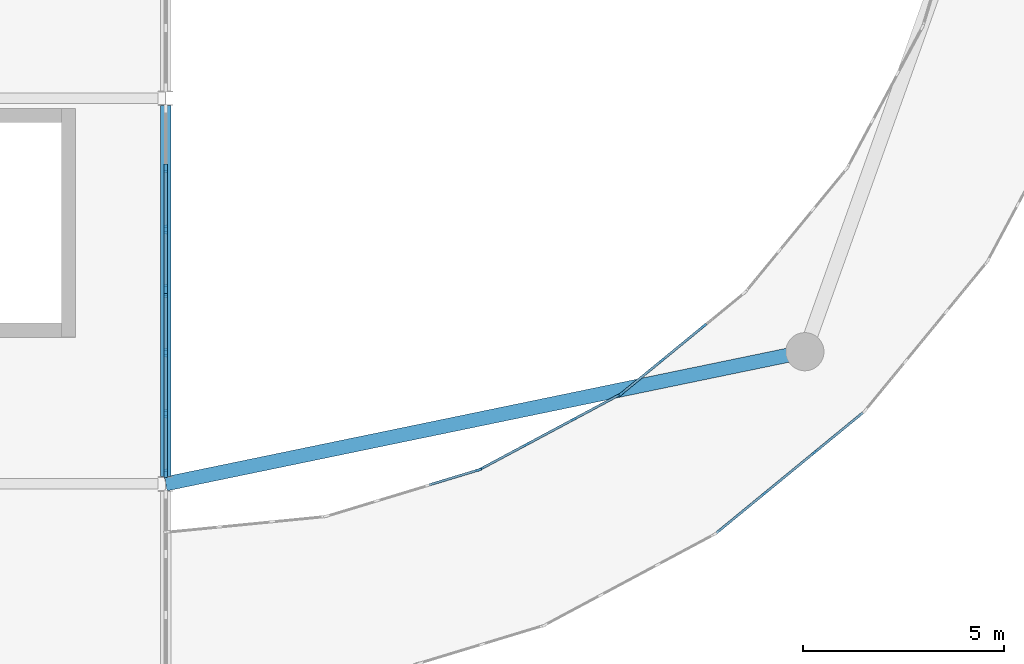
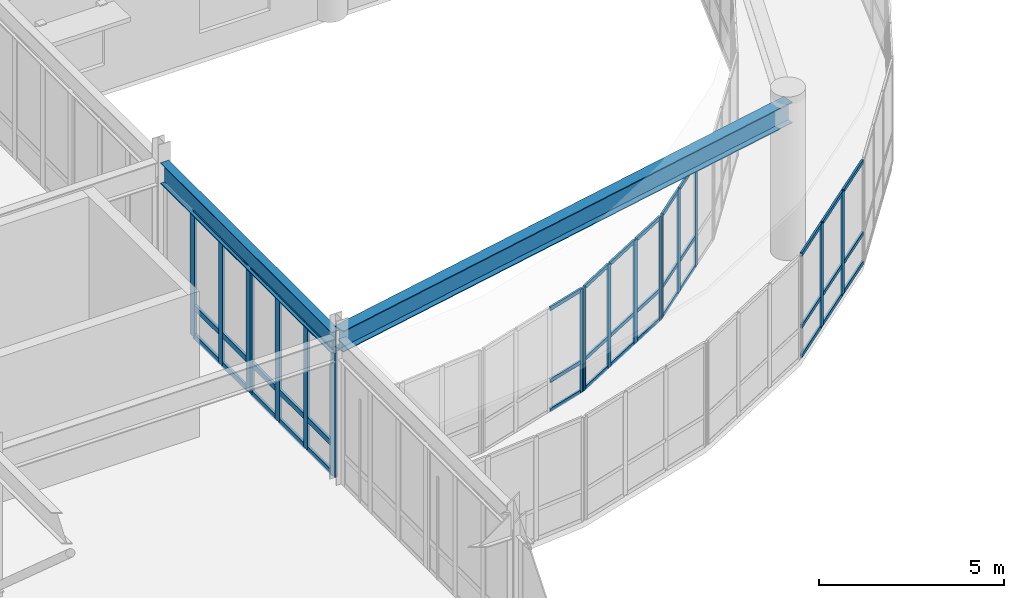
# One storey, part 18 of 68: 59 members, 2 beams, 6 elements without a shape of their own.
"""IFC4 building model written with IfcOpenShell, lengths in metres."""

from ifc_helpers import new_model, si_unit, direction, frame, origin, origin_2d, place, context, subcontext, project, spatial, rectangle, i_section, extrude, material, material_profile, profile_set, type_object, element, aggregate, save


model = new_model("IFC4")

# Units and contexts
model_context = context("Model", 3, precision=1e-05, world=origin(), true_north=direction((0.0, 1.0)))
body_context = subcontext(model_context, "Body", "Model", "MODEL_VIEW")
ifc_project = project(units=[si_unit("LENGTHUNIT", "METRE"), si_unit("AREAUNIT", "SQUARE_METRE"), si_unit("VOLUMEUNIT", "CUBIC_METRE"), si_unit("PLANEANGLEUNIT", "RADIAN"), si_unit("MASSUNIT", "GRAM", prefix="KILO")], contexts=[model_context])

# Site, building, storey
site_placement = place(None, origin())
site = spatial("IfcSite", under=ifc_project, at=site_placement, CompositionType="ELEMENT")
building_placement = place(site_placement, origin())
building = spatial("IfcBuilding", under=site, at=building_placement, Name="Veldera Park Congress Hotel", CompositionType="ELEMENT")
storey_placement = place(building_placement, frame((0.0, 0.0, 10.800048828125)))
storey = spatial("IfcBuildingStorey", under=building, at=storey_placement, Name="L02", CompositionType="ELEMENT", Elevation=10.800048828125)

# Beams
ifc_material_1 = material(Name="Steel ASTM A992 Gr.50", Category="steel")
ifc_material_profile_1 = material_profile(ifc_material_1, i_section(OverallWidth=0.256103515625, OverallDepth=0.693115234375, WebThickness=0.014404296875, FlangeThickness=0.023681640625, at=origin_2d()), Name="W27X114")
ifc_profile_set_1 = profile_set([ifc_material_profile_1], Name="Steel ASTM A992 Gr.50")
beam_type_1 = type_object("IfcBeamType", Name="BM-W27", PredefinedType="BEAM", material=ifc_profile_set_1)
beam_1_placement = place(storey_placement, frame((-1.60009765625, -1.615966796875, 4.453369140625), z_axis=(0.0, 1.0, 0.0), x_axis=(-1.0, 0.0, 0.0)))
element("IfcBeam", 1, at=beam_1_placement, inside=storey, type_object=beam_type_1, Name="L02 Girder BM-W27 968", PredefinedType="BEAM", context=body_context, shape_type="SweptSolid", body=[
    extrude(i_section(OverallWidth=0.256103515625, OverallDepth=0.693115234375, WebThickness=0.014404296875, FlangeThickness=0.023681640625, at=origin_2d()), origin(), (0.0, 0.0, 1.0), 9.23193359375),
])
ifc_material_profile_2 = material_profile(ifc_material_1, i_section(OverallWidth=0.35498046875, OverallDepth=0.696044921875, WebThickness=0.015380859375, FlangeThickness=0.02490234375, at=origin_2d()), Name="W27X146")
ifc_profile_set_2 = profile_set([ifc_material_profile_2], Name="Steel ASTM A992 Gr.50")
beam_type_2 = type_object("IfcBeamType", Name="BM-W27E", PredefinedType="BEAM", material=ifc_profile_set_2)
beam_2_placement = place(storey_placement, frame((-1.60009765625, -1.800048828125, 4.64990234375), z_axis=(0.979280770747, 0.202507214796, 0.0), x_axis=(-0.202507214796, 0.979280770747, 0.0)))
element("IfcBeam", 2, at=beam_2_placement, inside=storey, type_object=beam_type_2, Name="L02 Skybridge Support Girder A W", PredefinedType="BEAM", context=body_context, shape_type="SweptSolid", body=[
    extrude(i_section(OverallWidth=0.35498046875, OverallDepth=0.696044921875, WebThickness=0.015380859375, FlangeThickness=0.02490234375, at=origin_2d()), origin(), (0.0, 0.0, 1.0), 16.24658203125),
])

# Curtain wall, members
ifc_material_2 = material(Name="Low-E Triple Insulating Glass Unit (SHGC 0.22)", Category="glass")
curtain_wall_type_1 = type_object("IfcCurtainWallType", Name="CW-BRG", PredefinedType="NOTDEFINED", material=ifc_material_2)
curtain_wall_1_placement = place(storey_placement, origin())
curtain_wall_1 = element("IfcCurtainWall", 3, at=curtain_wall_1_placement, inside=storey, type_object=curtain_wall_type_1, Name="L02 Curtain Wall CW3-BRGW-L02-A03", PredefinedType="NOTDEFINED")
ifc_material_3 = material(Name="Anodised Aluminium Alloy 6063-T6", Category="aluminium")
ifc_material_profile_3 = material_profile(ifc_material_3, rectangle(XDim=0.06005859375, YDim=0.159912109375, at=origin_2d()), Name="ALU 60x160")
ifc_profile_set_3 = profile_set([ifc_material_profile_3], Name="Anodised Aluminium Alloy 6063-T6")
member_type_1 = type_object("IfcMemberType", Name="CWM-160", PredefinedType="MULLION", material=ifc_profile_set_3)
member_1_placement = place(storey_placement, frame((13.3095703125, -2.034423828125, 0.0), z_axis=(0.0, 0.0, 1.0), x_axis=(-0.634402404183, 0.773002968666, 0.0)))
member_1 = element("IfcMember", 4, at=member_1_placement, type_object=member_type_1, Name="CW-BRG mullion 2", PredefinedType="MULLION", context=body_context, shape_type="SweptSolid", body=[
    extrude(rectangle(XDim=0.06005859375, YDim=0.159912109375, at=origin_2d()), origin(), (0.0, 0.0, 1.0), 3.39990234375),
])
member_2_placement = place(storey_placement, frame((14.55224609375, -1.0146484375, 0.0), z_axis=(0.0, 0.0, 1.0), x_axis=(-0.634402404183, 0.773002968666, 0.0)))
member_2 = element("IfcMember", 5, at=member_2_placement, type_object=member_type_1, Name="CW-BRG mullion 3", PredefinedType="MULLION", context=body_context, shape_type="SweptSolid", body=[
    extrude(rectangle(XDim=0.06005859375, YDim=0.159912109375, at=origin_2d()), origin(), (0.0, 0.0, 1.0), 3.39990234375),
])

curtain_wall_2_placement = place(storey_placement, origin())
curtain_wall_2 = element("IfcCurtainWall", 6, at=curtain_wall_2_placement, inside=storey, type_object=curtain_wall_type_1, Name="L02 Curtain Wall CW3-BRGW-L02-B13", PredefinedType="NOTDEFINED")
member_3_placement = place(storey_placement, frame((11.79443359375, 2.12939453125, 0.0), z_axis=(0.0, 0.0, 1.0), x_axis=(0.634386349036, -0.773016144823, 0.0)))
member_3 = element("IfcMember", 7, at=member_3_placement, type_object=member_type_1, Name="CW-BRG mullion 2", PredefinedType="MULLION", context=body_context, shape_type="SweptSolid", body=[
    extrude(rectangle(XDim=0.06005859375, YDim=0.159912109375, at=origin_2d()), origin(), (0.0, 0.0, 1.0), 3.39990234375),
])
member_4_placement = place(storey_placement, frame((10.76416015625, 1.28369140625, 0.0), z_axis=(0.0, 0.0, 1.0), x_axis=(0.634386349036, -0.773016144823, 0.0)))
member_4 = element("IfcMember", 8, at=member_4_placement, type_object=member_type_1, Name="CW-BRG mullion 3", PredefinedType="MULLION", context=body_context, shape_type="SweptSolid", body=[
    extrude(rectangle(XDim=0.06005859375, YDim=0.159912109375, at=origin_2d()), origin(), (0.0, 0.0, 1.0), 3.39990234375),
])
member_5_placement = place(storey_placement, frame((9.7568359375, 0.45703125, 0.0), z_axis=(0.0, 0.0, 1.0), x_axis=(0.634386349036, -0.773016144823, 0.0)))
member_5 = element("IfcMember", 9, at=member_5_placement, type_object=member_type_1, Name="CW-BRG mullion 4", PredefinedType="MULLION", context=body_context, shape_type="SweptSolid", body=[
    extrude(rectangle(XDim=0.06005859375, YDim=0.159912109375, at=origin_2d()), origin(), (0.0, 0.0, 1.0), 3.39990234375),
])

curtain_wall_3_placement = place(storey_placement, origin())
curtain_wall_3 = element("IfcCurtainWall", 10, at=curtain_wall_3_placement, inside=storey, type_object=curtain_wall_type_1, Name="L02 Curtain Wall CW3-BRGW-L02-B14", PredefinedType="NOTDEFINED")
member_6_placement = place(storey_placement, frame((9.70703125, 0.423828125, 0.0), z_axis=(0.0, 0.0, 1.0), x_axis=(0.471383642588, -0.881928263239, 0.0)))
member_6 = element("IfcMember", 11, at=member_6_placement, type_object=member_type_1, Name="CW-BRG mullion 1", PredefinedType="MULLION", context=body_context, shape_type="SweptSolid", body=[
    extrude(rectangle(XDim=0.06005859375, YDim=0.159912109375, at=origin_2d()), origin(), (0.0, 0.0, 1.0), 3.39990234375),
])
member_7_placement = place(storey_placement, frame((8.557861328125, -0.1904296875, 0.0), z_axis=(0.0, 0.0, 1.0), x_axis=(0.471383642588, -0.881928263239, 0.0)))
member_7 = element("IfcMember", 12, at=member_7_placement, type_object=member_type_1, Name="CW-BRG mullion 2", PredefinedType="MULLION", context=body_context, shape_type="SweptSolid", body=[
    extrude(rectangle(XDim=0.06005859375, YDim=0.159912109375, at=origin_2d()), origin(), (0.0, 0.0, 1.0), 3.39990234375),
])
member_8_placement = place(storey_placement, frame((7.38232421875, -0.81884765625, 0.0), z_axis=(0.0, 0.0, 1.0), x_axis=(0.471383642588, -0.881928263239, 0.0)))
member_8 = element("IfcMember", 13, at=member_8_placement, type_object=member_type_1, Name="CW-BRG mullion 3", PredefinedType="MULLION", context=body_context, shape_type="SweptSolid", body=[
    extrude(rectangle(XDim=0.06005859375, YDim=0.159912109375, at=origin_2d()), origin(), (0.0, 0.0, 1.0), 3.39990234375),
])
member_9_placement = place(storey_placement, frame((6.233154296875, -1.432861328125, 0.0), z_axis=(0.0, 0.0, 1.0), x_axis=(0.471383642588, -0.881928263239, 0.0)))
member_9 = element("IfcMember", 14, at=member_9_placement, type_object=member_type_1, Name="CW-BRG mullion 4", PredefinedType="MULLION", context=body_context, shape_type="SweptSolid", body=[
    extrude(rectangle(XDim=0.06005859375, YDim=0.159912109375, at=origin_2d()), origin(), (0.0, 0.0, 1.0), 3.39990234375),
])

# Curtain wall, member
curtain_wall_4_placement = place(storey_placement, origin())
curtain_wall_4 = element("IfcCurtainWall", 15, at=curtain_wall_4_placement, inside=storey, type_object=curtain_wall_type_1, Name="L02 Curtain Wall CW3-BRGW-L02-B15", PredefinedType="NOTDEFINED")
member_10_placement = place(storey_placement, frame((6.177978515625, -1.455810546875, 0.0), z_axis=(0.0, 0.0, 1.0), x_axis=(0.290289846929, -0.956938767513, 0.0)))
member_10 = element("IfcMember", 16, at=member_10_placement, type_object=member_type_1, Name="CW-BRG mullion 1", PredefinedType="MULLION", context=body_context, shape_type="SweptSolid", body=[
    extrude(rectangle(XDim=0.06005859375, YDim=0.159912109375, at=origin_2d()), origin(), (0.0, 0.0, 1.0), 3.39990234375),
])

# Curtain wall, members
curtain_wall_type_2 = type_object("IfcCurtainWallType", Name="CW-POD", PredefinedType="NOTDEFINED", material=ifc_material_2)
curtain_wall_5_placement = place(storey_placement, origin())
curtain_wall_5 = element("IfcCurtainWall", 17, at=curtain_wall_5_placement, inside=storey, type_object=curtain_wall_type_2, Name="L02 Curtain Wall CW3-V1E-L02-069", PredefinedType="NOTDEFINED")
ifc_material_profile_4 = material_profile(ifc_material_3, rectangle(XDim=0.080078125, YDim=0.219970703125, at=origin_2d()), Name="ALU 80x220")
ifc_profile_set_4 = profile_set([ifc_material_profile_4], Name="Anodised Aluminium Alloy 6063-T6")
member_type_2 = type_object("IfcMemberType", Name="CWM-220", PredefinedType="MULLION", material=ifc_profile_set_4)
member_11_placement = place(storey_placement, frame((-1.60009765625, -1.535888671875, 0.0), z_axis=(0.0, 0.0, 1.0), x_axis=(-1.0, 0.0, 0.0)))
member_11 = element("IfcMember", 18, at=member_11_placement, type_object=member_type_2, Name="CW-POD mullion 1", PredefinedType="MULLION", context=body_context, shape_type="SweptSolid", body=[
    extrude(rectangle(XDim=0.080078125, YDim=0.219970703125, at=origin_2d()), origin(), (0.0, 0.0, 1.0), 4.10205078125),
])
member_12_placement = place(storey_placement, frame((-1.60009765625, -0.0556640625, 0.0), z_axis=(0.0, 0.0, 1.0), x_axis=(-1.0, 0.0, 0.0)))
member_12 = element("IfcMember", 19, at=member_12_placement, type_object=member_type_2, Name="CW-POD mullion 2", PredefinedType="MULLION", context=body_context, shape_type="SweptSolid", body=[
    extrude(rectangle(XDim=0.080078125, YDim=0.219970703125, at=origin_2d()), origin(), (0.0, 0.0, 1.0), 4.10205078125),
])
member_13_placement = place(storey_placement, frame((-1.60009765625, 1.464599609375, 0.0), z_axis=(0.0, 0.0, 1.0), x_axis=(-1.0, 0.0, 0.0)))
member_13 = element("IfcMember", 20, at=member_13_placement, type_object=member_type_2, Name="CW-POD mullion 3", PredefinedType="MULLION", context=body_context, shape_type="SweptSolid", body=[
    extrude(rectangle(XDim=0.080078125, YDim=0.219970703125, at=origin_2d()), origin(), (0.0, 0.0, 1.0), 4.10205078125),
])
member_14_placement = place(storey_placement, frame((-1.60009765625, 2.945068359375, 0.0), z_axis=(0.0, 0.0, 1.0), x_axis=(-1.0, 0.0, 0.0)))
member_14 = element("IfcMember", 21, at=member_14_placement, type_object=member_type_2, Name="CW-POD mullion 4", PredefinedType="MULLION", context=body_context, shape_type="SweptSolid", body=[
    extrude(rectangle(XDim=0.080078125, YDim=0.219970703125, at=origin_2d()), origin(), (0.0, 0.0, 1.0), 4.10205078125),
])

curtain_wall_6_placement = place(storey_placement, origin())
curtain_wall_6 = element("IfcCurtainWall", 22, at=curtain_wall_6_placement, inside=storey, type_object=curtain_wall_type_2, Name="L02 Curtain Wall CW3-V1E-L02-070", PredefinedType="NOTDEFINED")
member_15_placement = place(storey_placement, frame((-1.60009765625, 3.054931640625, 0.0), z_axis=(0.0, 0.0, 1.0), x_axis=(-1.0, 0.0, 0.0)))
member_15 = element("IfcMember", 23, at=member_15_placement, type_object=member_type_2, Name="CW-POD mullion 1", PredefinedType="MULLION", context=body_context, shape_type="SweptSolid", body=[
    extrude(rectangle(XDim=0.080078125, YDim=0.219970703125, at=origin_2d()), origin(), (0.0, 0.0, 1.0), 4.10205078125),
])
member_16_placement = place(storey_placement, frame((-1.60009765625, 4.535400390625, 0.0), z_axis=(0.0, 0.0, 1.0), x_axis=(-1.0, 0.0, 0.0)))
member_16 = element("IfcMember", 24, at=member_16_placement, type_object=member_type_2, Name="CW-POD mullion 2", PredefinedType="MULLION", context=body_context, shape_type="SweptSolid", body=[
    extrude(rectangle(XDim=0.080078125, YDim=0.219970703125, at=origin_2d()), origin(), (0.0, 0.0, 1.0), 4.10205078125),
])
member_17_placement = place(storey_placement, frame((-1.60009765625, 6.0556640625, 0.0), z_axis=(0.0, 0.0, 1.0), x_axis=(-1.0, 0.0, 0.0)))
member_17 = element("IfcMember", 25, at=member_17_placement, type_object=member_type_2, Name="CW-POD mullion 3", PredefinedType="MULLION", context=body_context, shape_type="SweptSolid", body=[
    extrude(rectangle(XDim=0.080078125, YDim=0.219970703125, at=origin_2d()), origin(), (0.0, 0.0, 1.0), 4.10205078125),
])

# Member
ifc_material_profile_5 = material_profile(ifc_material_3, rectangle(XDim=0.06005859375, YDim=0.1201171875, at=origin_2d()), Name="ALU 60x120")
ifc_profile_set_5 = profile_set([ifc_material_profile_5], Name="Anodised Aluminium Alloy 6063-T6")
member_type_3 = type_object("IfcMemberType", Name="CWT-120", PredefinedType="USERDEFINED", material=ifc_profile_set_5)
member_18_placement = place(storey_placement, frame((12.11328125, -3.01611328125, 0.030029296875), z_axis=(0.773038980381, 0.634358522298, 0.0), x_axis=(-0.634358522298, 0.773038980381, 0.0)))
member_18 = element("IfcMember", 26, at=member_18_placement, type_object=member_type_3, Name="CW-BRG transom 1.1", ObjectType="TRANSOM", PredefinedType="USERDEFINED", context=body_context, shape_type="SweptSolid", body=[
    extrude(rectangle(XDim=0.06005859375, YDim=0.1201171875, at=origin_2d()), origin(), (0.0, 0.0, 1.0), 1.517578125),
])

member_19_placement = place(storey_placement, frame((12.11328125, -3.01611328125, 1.0), z_axis=(0.773038980381, 0.634358522298, 0.0), x_axis=(-0.634358522298, 0.773038980381, 0.0)))
member_19 = element("IfcMember", 27, at=member_19_placement, type_object=member_type_3, Name="CW-BRG transom 1.2", ObjectType="TRANSOM", PredefinedType="USERDEFINED", context=body_context, shape_type="SweptSolid", body=[
    extrude(rectangle(XDim=0.06005859375, YDim=0.1201171875, at=origin_2d()), origin(), (0.0, 0.0, 1.0), 1.517578125),
])

member_20_placement = place(storey_placement, frame((12.11328125, -3.01611328125, 3.369873046875), z_axis=(0.773038980381, 0.634358522298, 0.0), x_axis=(-0.634358522298, 0.773038980381, 0.0)))
member_20 = element("IfcMember", 28, at=member_20_placement, type_object=member_type_3, Name="CW-BRG transom 1.3", ObjectType="TRANSOM", PredefinedType="USERDEFINED", context=body_context, shape_type="SweptSolid", body=[
    extrude(rectangle(XDim=0.06005859375, YDim=0.1201171875, at=origin_2d()), origin(), (0.0, 0.0, 1.0), 1.517578125),
])

member_21_placement = place(storey_placement, frame((13.332763671875, -2.015380859375, 0.030029296875), z_axis=(0.773035679716, 0.634362544518, 0.0), x_axis=(-0.634362544518, 0.773035679716, 0.0)))
member_21 = element("IfcMember", 29, at=member_21_placement, type_object=member_type_3, Name="CW-BRG transom 2.1", ObjectType="TRANSOM", PredefinedType="USERDEFINED", context=body_context, shape_type="SweptSolid", body=[
    extrude(rectangle(XDim=0.06005859375, YDim=0.1201171875, at=origin_2d()), origin(), (0.0, 0.0, 1.0), 1.547607421875),
])

member_22_placement = place(storey_placement, frame((13.332763671875, -2.015380859375, 1.0), z_axis=(0.773035679716, 0.634362544518, 0.0), x_axis=(-0.634362544518, 0.773035679716, 0.0)))
member_22 = element("IfcMember", 30, at=member_22_placement, type_object=member_type_3, Name="CW-BRG transom 2.2", ObjectType="TRANSOM", PredefinedType="USERDEFINED", context=body_context, shape_type="SweptSolid", body=[
    extrude(rectangle(XDim=0.06005859375, YDim=0.1201171875, at=origin_2d()), origin(), (0.0, 0.0, 1.0), 1.547607421875),
])

member_23_placement = place(storey_placement, frame((13.332763671875, -2.015380859375, 3.369873046875), z_axis=(0.773035679716, 0.634362544518, 0.0), x_axis=(-0.634362544518, 0.773035679716, 0.0)))
member_23 = element("IfcMember", 31, at=member_23_placement, type_object=member_type_3, Name="CW-BRG transom 2.3", ObjectType="TRANSOM", PredefinedType="USERDEFINED", context=body_context, shape_type="SweptSolid", body=[
    extrude(rectangle(XDim=0.06005859375, YDim=0.1201171875, at=origin_2d()), origin(), (0.0, 0.0, 1.0), 1.547607421875),
])

member_24_placement = place(storey_placement, frame((14.575439453125, -0.99560546875, 0.030029296875), z_axis=(0.773038980381, 0.634358522298, 0.0), x_axis=(-0.634358522298, 0.773038980381, 0.0)))
member_24 = element("IfcMember", 32, at=member_24_placement, type_object=member_type_3, Name="CW-BRG transom 3.1", ObjectType="TRANSOM", PredefinedType="USERDEFINED", context=body_context, shape_type="SweptSolid", body=[
    extrude(rectangle(XDim=0.06005859375, YDim=0.1201171875, at=origin_2d()), origin(), (0.0, 0.0, 1.0), 1.517578125),
])

member_25_placement = place(storey_placement, frame((14.575439453125, -0.99560546875, 1.0), z_axis=(0.773038980381, 0.634358522298, 0.0), x_axis=(-0.634358522298, 0.773038980381, 0.0)))
member_25 = element("IfcMember", 33, at=member_25_placement, type_object=member_type_3, Name="CW-BRG transom 3.2", ObjectType="TRANSOM", PredefinedType="USERDEFINED", context=body_context, shape_type="SweptSolid", body=[
    extrude(rectangle(XDim=0.06005859375, YDim=0.1201171875, at=origin_2d()), origin(), (0.0, 0.0, 1.0), 1.517578125),
])

member_26_placement = place(storey_placement, frame((14.575439453125, -0.99560546875, 3.369873046875), z_axis=(0.773038980381, 0.634358522298, 0.0), x_axis=(-0.634358522298, 0.773038980381, 0.0)))
member_26 = element("IfcMember", 34, at=member_26_placement, type_object=member_type_3, Name="CW-BRG transom 3.3", ObjectType="TRANSOM", PredefinedType="USERDEFINED", context=body_context, shape_type="SweptSolid", body=[
    extrude(rectangle(XDim=0.06005859375, YDim=0.1201171875, at=origin_2d()), origin(), (0.0, 0.0, 1.0), 1.517578125),
])

aggregate(curtain_wall_1, [member_1, member_2, member_18, member_19, member_20, member_21, member_22, member_23, member_24, member_25, member_26])

member_27_placement = place(storey_placement, frame((11.771240234375, 2.1103515625, 0.030029296875), z_axis=(-0.772947951562, -0.634469435178, 0.0), x_axis=(0.634469435178, -0.772947951562, 0.0)))
member_27 = element("IfcMember", 35, at=member_27_placement, type_object=member_type_3, Name="CW-BRG transom 2.1", ObjectType="TRANSOM", PredefinedType="USERDEFINED", context=body_context, shape_type="SweptSolid", body=[
    extrude(rectangle(XDim=0.06005859375, YDim=0.1201171875, at=origin_2d()), origin(), (0.0, 0.0, 1.0), 1.27294921875),
])

member_28_placement = place(storey_placement, frame((11.771240234375, 2.1103515625, 1.0), z_axis=(-0.772947951562, -0.634469435178, 0.0), x_axis=(0.634469435178, -0.772947951562, 0.0)))
member_28 = element("IfcMember", 36, at=member_28_placement, type_object=member_type_3, Name="CW-BRG transom 2.2", ObjectType="TRANSOM", PredefinedType="USERDEFINED", context=body_context, shape_type="SweptSolid", body=[
    extrude(rectangle(XDim=0.06005859375, YDim=0.1201171875, at=origin_2d()), origin(), (0.0, 0.0, 1.0), 1.27294921875),
])

member_29_placement = place(storey_placement, frame((11.771240234375, 2.1103515625, 3.369873046875), z_axis=(-0.772947951562, -0.634469435178, 0.0), x_axis=(0.634469435178, -0.772947951562, 0.0)))
member_29 = element("IfcMember", 37, at=member_29_placement, type_object=member_type_3, Name="CW-BRG transom 2.3", ObjectType="TRANSOM", PredefinedType="USERDEFINED", context=body_context, shape_type="SweptSolid", body=[
    extrude(rectangle(XDim=0.06005859375, YDim=0.1201171875, at=origin_2d()), origin(), (0.0, 0.0, 1.0), 1.27294921875),
])

member_30_placement = place(storey_placement, frame((10.740966796875, 1.2646484375, 0.030029296875), z_axis=(-0.773028918218, -0.634370784005, 0.0), x_axis=(0.634370784005, -0.773028918218, 0.0)))
member_30 = element("IfcMember", 38, at=member_30_placement, type_object=member_type_3, Name="CW-BRG transom 3.1", ObjectType="TRANSOM", PredefinedType="USERDEFINED", context=body_context, shape_type="SweptSolid", body=[
    extrude(rectangle(XDim=0.06005859375, YDim=0.1201171875, at=origin_2d()), origin(), (0.0, 0.0, 1.0), 1.2431640625),
])

member_31_placement = place(storey_placement, frame((10.740966796875, 1.2646484375, 1.0), z_axis=(-0.773028918218, -0.634370784005, 0.0), x_axis=(0.634370784005, -0.773028918218, 0.0)))
member_31 = element("IfcMember", 39, at=member_31_placement, type_object=member_type_3, Name="CW-BRG transom 3.2", ObjectType="TRANSOM", PredefinedType="USERDEFINED", context=body_context, shape_type="SweptSolid", body=[
    extrude(rectangle(XDim=0.06005859375, YDim=0.1201171875, at=origin_2d()), origin(), (0.0, 0.0, 1.0), 1.2431640625),
])

member_32_placement = place(storey_placement, frame((10.740966796875, 1.2646484375, 3.369873046875), z_axis=(-0.773028918218, -0.634370784005, 0.0), x_axis=(0.634370784005, -0.773028918218, 0.0)))
member_32 = element("IfcMember", 40, at=member_32_placement, type_object=member_type_3, Name="CW-BRG transom 3.3", ObjectType="TRANSOM", PredefinedType="USERDEFINED", context=body_context, shape_type="SweptSolid", body=[
    extrude(rectangle(XDim=0.06005859375, YDim=0.1201171875, at=origin_2d()), origin(), (0.0, 0.0, 1.0), 1.2431640625),
])

aggregate(curtain_wall_2, [member_3, member_4, member_5, member_27, member_28, member_29, member_30, member_31, member_32])

member_33_placement = place(storey_placement, frame((9.6806640625, 0.40966796875, 0.030029296875), z_axis=(-0.881917589752, -0.471403611449, 0.0), x_axis=(0.471403611449, -0.881917589752, 0.0)))
member_33 = element("IfcMember", 41, at=member_33_placement, type_object=member_type_3, Name="CW-BRG transom 1.1", ObjectType="TRANSOM", PredefinedType="USERDEFINED", context=body_context, shape_type="SweptSolid", body=[
    extrude(rectangle(XDim=0.06005859375, YDim=0.1201171875, at=origin_2d()), origin(), (0.0, 0.0, 1.0), 1.242919921875),
])

member_34_placement = place(storey_placement, frame((9.6806640625, 0.40966796875, 1.0), z_axis=(-0.881917589752, -0.471403611449, 0.0), x_axis=(0.471403611449, -0.881917589752, 0.0)))
member_34 = element("IfcMember", 42, at=member_34_placement, type_object=member_type_3, Name="CW-BRG transom 1.2", ObjectType="TRANSOM", PredefinedType="USERDEFINED", context=body_context, shape_type="SweptSolid", body=[
    extrude(rectangle(XDim=0.06005859375, YDim=0.1201171875, at=origin_2d()), origin(), (0.0, 0.0, 1.0), 1.242919921875),
])

member_35_placement = place(storey_placement, frame((9.6806640625, 0.40966796875, 3.369873046875), z_axis=(-0.881917589752, -0.471403611449, 0.0), x_axis=(0.471403611449, -0.881917589752, 0.0)))
member_35 = element("IfcMember", 43, at=member_35_placement, type_object=member_type_3, Name="CW-BRG transom 1.3", ObjectType="TRANSOM", PredefinedType="USERDEFINED", context=body_context, shape_type="SweptSolid", body=[
    extrude(rectangle(XDim=0.06005859375, YDim=0.1201171875, at=origin_2d()), origin(), (0.0, 0.0, 1.0), 1.242919921875),
])

member_36_placement = place(storey_placement, frame((8.531494140625, -0.20458984375, 0.030029296875), z_axis=(-0.88193854117, -0.471364412741, 0.0), x_axis=(0.471364412741, -0.88193854117, 0.0)))
member_36 = element("IfcMember", 44, at=member_36_placement, type_object=member_type_3, Name="CW-BRG transom 2.1", ObjectType="TRANSOM", PredefinedType="USERDEFINED", context=body_context, shape_type="SweptSolid", body=[
    extrude(rectangle(XDim=0.06005859375, YDim=0.1201171875, at=origin_2d()), origin(), (0.0, 0.0, 1.0), 1.273193359375),
])

member_37_placement = place(storey_placement, frame((8.531494140625, -0.20458984375, 1.0), z_axis=(-0.88193854117, -0.471364412741, 0.0), x_axis=(0.471364412741, -0.88193854117, 0.0)))
member_37 = element("IfcMember", 45, at=member_37_placement, type_object=member_type_3, Name="CW-BRG transom 2.2", ObjectType="TRANSOM", PredefinedType="USERDEFINED", context=body_context, shape_type="SweptSolid", body=[
    extrude(rectangle(XDim=0.06005859375, YDim=0.1201171875, at=origin_2d()), origin(), (0.0, 0.0, 1.0), 1.273193359375),
])

member_38_placement = place(storey_placement, frame((8.531494140625, -0.20458984375, 3.369873046875), z_axis=(-0.88193854117, -0.471364412741, 0.0), x_axis=(0.471364412741, -0.88193854117, 0.0)))
member_38 = element("IfcMember", 46, at=member_38_placement, type_object=member_type_3, Name="CW-BRG transom 2.3", ObjectType="TRANSOM", PredefinedType="USERDEFINED", context=body_context, shape_type="SweptSolid", body=[
    extrude(rectangle(XDim=0.06005859375, YDim=0.1201171875, at=origin_2d()), origin(), (0.0, 0.0, 1.0), 1.273193359375),
])

member_39_placement = place(storey_placement, frame((7.35595703125, -0.832763671875, 0.030029296875), z_axis=(-0.881961226727, -0.471321964851, 0.0), x_axis=(0.471321964851, -0.881961226727, 0.0)))
member_39 = element("IfcMember", 47, at=member_39_placement, type_object=member_type_3, Name="CW-BRG transom 3.1", ObjectType="TRANSOM", PredefinedType="USERDEFINED", context=body_context, shape_type="SweptSolid", body=[
    extrude(rectangle(XDim=0.06005859375, YDim=0.1201171875, at=origin_2d()), origin(), (0.0, 0.0, 1.0), 1.2431640625),
])

member_40_placement = place(storey_placement, frame((7.35595703125, -0.832763671875, 1.0), z_axis=(-0.881961226727, -0.471321964851, 0.0), x_axis=(0.471321964851, -0.881961226727, 0.0)))
member_40 = element("IfcMember", 48, at=member_40_placement, type_object=member_type_3, Name="CW-BRG transom 3.2", ObjectType="TRANSOM", PredefinedType="USERDEFINED", context=body_context, shape_type="SweptSolid", body=[
    extrude(rectangle(XDim=0.06005859375, YDim=0.1201171875, at=origin_2d()), origin(), (0.0, 0.0, 1.0), 1.2431640625),
])

member_41_placement = place(storey_placement, frame((7.35595703125, -0.832763671875, 3.369873046875), z_axis=(-0.881961226727, -0.471321964851, 0.0), x_axis=(0.471321964851, -0.881961226727, 0.0)))
member_41 = element("IfcMember", 49, at=member_41_placement, type_object=member_type_3, Name="CW-BRG transom 3.3", ObjectType="TRANSOM", PredefinedType="USERDEFINED", context=body_context, shape_type="SweptSolid", body=[
    extrude(rectangle(XDim=0.06005859375, YDim=0.1201171875, at=origin_2d()), origin(), (0.0, 0.0, 1.0), 1.2431640625),
])

aggregate(curtain_wall_3, [member_6, member_7, member_8, member_9, member_33, member_34, member_35, member_36, member_37, member_38, member_39, member_40, member_41])

member_42_placement = place(storey_placement, frame((6.149169921875, -1.464599609375, 0.030029296875), z_axis=(-0.956935154583, -0.290301756665, 0.0), x_axis=(0.290301756665, -0.956935154583, 0.0)))
member_42 = element("IfcMember", 50, at=member_42_placement, type_object=member_type_3, Name="CW-BRG transom 1.1", ObjectType="TRANSOM", PredefinedType="USERDEFINED", context=body_context, shape_type="SweptSolid", body=[
    extrude(rectangle(XDim=0.06005859375, YDim=0.1201171875, at=origin_2d()), origin(), (0.0, 0.0, 1.0), 1.242919921875),
])

member_43_placement = place(storey_placement, frame((6.149169921875, -1.464599609375, 1.0), z_axis=(-0.956935154583, -0.290301756665, 0.0), x_axis=(0.290301756665, -0.956935154583, 0.0)))
member_43 = element("IfcMember", 51, at=member_43_placement, type_object=member_type_3, Name="CW-BRG transom 1.2", ObjectType="TRANSOM", PredefinedType="USERDEFINED", context=body_context, shape_type="SweptSolid", body=[
    extrude(rectangle(XDim=0.06005859375, YDim=0.1201171875, at=origin_2d()), origin(), (0.0, 0.0, 1.0), 1.242919921875),
])

member_44_placement = place(storey_placement, frame((6.149169921875, -1.464599609375, 3.369873046875), z_axis=(-0.956935154583, -0.290301756665, 0.0), x_axis=(0.290301756665, -0.956935154583, 0.0)))
member_44 = element("IfcMember", 52, at=member_44_placement, type_object=member_type_3, Name="CW-BRG transom 1.3", ObjectType="TRANSOM", PredefinedType="USERDEFINED", context=body_context, shape_type="SweptSolid", body=[
    extrude(rectangle(XDim=0.06005859375, YDim=0.1201171875, at=origin_2d()), origin(), (0.0, 0.0, 1.0), 1.242919921875),
])

aggregate(curtain_wall_4, [member_10, member_42, member_43, member_44])

ifc_material_profile_6 = material_profile(ifc_material_3, rectangle(XDim=0.080078125, YDim=0.179931640625, at=origin_2d()), Name="ALU 80x180")
ifc_profile_set_6 = profile_set([ifc_material_profile_6], Name="Anodised Aluminium Alloy 6063-T6")
member_type_4 = type_object("IfcMemberType", Name="CWT-180", PredefinedType="USERDEFINED", material=ifc_profile_set_6)
member_45_placement = place(storey_placement, frame((-1.60009765625, -1.49609375, 0.0400390625), z_axis=(0.0, 1.0, 0.0), x_axis=(-1.0, 0.0, 0.0)))
member_45 = element("IfcMember", 53, at=member_45_placement, type_object=member_type_4, Name="CW-POD transom 1.1", ObjectType="TRANSOM", PredefinedType="USERDEFINED", context=body_context, shape_type="SweptSolid", body=[
    extrude(rectangle(XDim=0.080078125, YDim=0.179931640625, at=origin_2d()), origin(), (0.0, 0.0, 1.0), 1.400390625),
])

member_46_placement = place(storey_placement, frame((-1.60009765625, -1.49609375, 1.0), z_axis=(0.0, 1.0, 0.0), x_axis=(-1.0, 0.0, 0.0)))
member_46 = element("IfcMember", 54, at=member_46_placement, type_object=member_type_4, Name="CW-POD transom 1.2", ObjectType="TRANSOM", PredefinedType="USERDEFINED", context=body_context, shape_type="SweptSolid", body=[
    extrude(rectangle(XDim=0.080078125, YDim=0.179931640625, at=origin_2d()), origin(), (0.0, 0.0, 1.0), 1.400390625),
])

member_47_placement = place(storey_placement, frame((-1.60009765625, -1.49609375, 4.06201171875), z_axis=(0.0, 1.0, 0.0), x_axis=(-1.0, 0.0, 0.0)))
member_47 = element("IfcMember", 55, at=member_47_placement, type_object=member_type_4, Name="CW-POD transom 1.3", ObjectType="TRANSOM", PredefinedType="USERDEFINED", context=body_context, shape_type="SweptSolid", body=[
    extrude(rectangle(XDim=0.080078125, YDim=0.179931640625, at=origin_2d()), origin(), (0.0, 0.0, 1.0), 1.400390625),
])

member_48_placement = place(storey_placement, frame((-1.60009765625, -0.015625, 0.0400390625), z_axis=(0.0, 1.0, 0.0), x_axis=(-1.0, 0.0, 0.0)))
member_48 = element("IfcMember", 56, at=member_48_placement, type_object=member_type_4, Name="CW-POD transom 2.1", ObjectType="TRANSOM", PredefinedType="USERDEFINED", context=body_context, shape_type="SweptSolid", body=[
    extrude(rectangle(XDim=0.080078125, YDim=0.179931640625, at=origin_2d()), origin(), (0.0, 0.0, 1.0), 1.440185546875),
])

member_49_placement = place(storey_placement, frame((-1.60009765625, -0.015625, 1.0), z_axis=(0.0, 1.0, 0.0), x_axis=(-1.0, 0.0, 0.0)))
member_49 = element("IfcMember", 57, at=member_49_placement, type_object=member_type_4, Name="CW-POD transom 2.2", ObjectType="TRANSOM", PredefinedType="USERDEFINED", context=body_context, shape_type="SweptSolid", body=[
    extrude(rectangle(XDim=0.080078125, YDim=0.179931640625, at=origin_2d()), origin(), (0.0, 0.0, 1.0), 1.440185546875),
])

member_50_placement = place(storey_placement, frame((-1.60009765625, -0.015625, 4.06201171875), z_axis=(0.0, 1.0, 0.0), x_axis=(-1.0, 0.0, 0.0)))
member_50 = element("IfcMember", 58, at=member_50_placement, type_object=member_type_4, Name="CW-POD transom 2.3", ObjectType="TRANSOM", PredefinedType="USERDEFINED", context=body_context, shape_type="SweptSolid", body=[
    extrude(rectangle(XDim=0.080078125, YDim=0.179931640625, at=origin_2d()), origin(), (0.0, 0.0, 1.0), 1.440185546875),
])

member_51_placement = place(storey_placement, frame((-1.60009765625, 1.504638671875, 0.0400390625), z_axis=(0.0, 1.0, 0.0), x_axis=(-1.0, 0.0, 0.0)))
member_51 = element("IfcMember", 59, at=member_51_placement, type_object=member_type_4, Name="CW-POD transom 3.1", ObjectType="TRANSOM", PredefinedType="USERDEFINED", context=body_context, shape_type="SweptSolid", body=[
    extrude(rectangle(XDim=0.080078125, YDim=0.179931640625, at=origin_2d()), origin(), (0.0, 0.0, 1.0), 1.400390625),
])

member_52_placement = place(storey_placement, frame((-1.60009765625, 1.504638671875, 1.0), z_axis=(0.0, 1.0, 0.0), x_axis=(-1.0, 0.0, 0.0)))
member_52 = element("IfcMember", 60, at=member_52_placement, type_object=member_type_4, Name="CW-POD transom 3.2", ObjectType="TRANSOM", PredefinedType="USERDEFINED", context=body_context, shape_type="SweptSolid", body=[
    extrude(rectangle(XDim=0.080078125, YDim=0.179931640625, at=origin_2d()), origin(), (0.0, 0.0, 1.0), 1.400390625),
])

member_53_placement = place(storey_placement, frame((-1.60009765625, 1.504638671875, 4.06201171875), z_axis=(0.0, 1.0, 0.0), x_axis=(-1.0, 0.0, 0.0)))
member_53 = element("IfcMember", 61, at=member_53_placement, type_object=member_type_4, Name="CW-POD transom 3.3", ObjectType="TRANSOM", PredefinedType="USERDEFINED", context=body_context, shape_type="SweptSolid", body=[
    extrude(rectangle(XDim=0.080078125, YDim=0.179931640625, at=origin_2d()), origin(), (0.0, 0.0, 1.0), 1.400390625),
])

aggregate(curtain_wall_5, [member_11, member_12, member_13, member_14, member_45, member_46, member_47, member_48, member_49, member_50, member_51, member_52, member_53])

member_54_placement = place(storey_placement, frame((-1.60009765625, 3.094970703125, 0.0400390625), z_axis=(0.0, 1.0, 0.0), x_axis=(-1.0, 0.0, 0.0)))
member_54 = element("IfcMember", 62, at=member_54_placement, type_object=member_type_4, Name="CW-POD transom 1.1", ObjectType="TRANSOM", PredefinedType="USERDEFINED", context=body_context, shape_type="SweptSolid", body=[
    extrude(rectangle(XDim=0.080078125, YDim=0.179931640625, at=origin_2d()), origin(), (0.0, 0.0, 1.0), 1.400390625),
])

member_55_placement = place(storey_placement, frame((-1.60009765625, 3.094970703125, 1.0), z_axis=(0.0, 1.0, 0.0), x_axis=(-1.0, 0.0, 0.0)))
member_55 = element("IfcMember", 63, at=member_55_placement, type_object=member_type_4, Name="CW-POD transom 1.2", ObjectType="TRANSOM", PredefinedType="USERDEFINED", context=body_context, shape_type="SweptSolid", body=[
    extrude(rectangle(XDim=0.080078125, YDim=0.179931640625, at=origin_2d()), origin(), (0.0, 0.0, 1.0), 1.400390625),
])

member_56_placement = place(storey_placement, frame((-1.60009765625, 3.094970703125, 4.06201171875), z_axis=(0.0, 1.0, 0.0), x_axis=(-1.0, 0.0, 0.0)))
member_56 = element("IfcMember", 64, at=member_56_placement, type_object=member_type_4, Name="CW-POD transom 1.3", ObjectType="TRANSOM", PredefinedType="USERDEFINED", context=body_context, shape_type="SweptSolid", body=[
    extrude(rectangle(XDim=0.080078125, YDim=0.179931640625, at=origin_2d()), origin(), (0.0, 0.0, 1.0), 1.400390625),
])

member_57_placement = place(storey_placement, frame((-1.60009765625, 4.575439453125, 0.0400390625), z_axis=(0.0, 1.0, 0.0), x_axis=(-1.0, 0.0, 0.0)))
member_57 = element("IfcMember", 65, at=member_57_placement, type_object=member_type_4, Name="CW-POD transom 2.1", ObjectType="TRANSOM", PredefinedType="USERDEFINED", context=body_context, shape_type="SweptSolid", body=[
    extrude(rectangle(XDim=0.080078125, YDim=0.179931640625, at=origin_2d()), origin(), (0.0, 0.0, 1.0), 1.440185546875),
])

member_58_placement = place(storey_placement, frame((-1.60009765625, 4.575439453125, 1.0), z_axis=(0.0, 1.0, 0.0), x_axis=(-1.0, 0.0, 0.0)))
member_58 = element("IfcMember", 66, at=member_58_placement, type_object=member_type_4, Name="CW-POD transom 2.2", ObjectType="TRANSOM", PredefinedType="USERDEFINED", context=body_context, shape_type="SweptSolid", body=[
    extrude(rectangle(XDim=0.080078125, YDim=0.179931640625, at=origin_2d()), origin(), (0.0, 0.0, 1.0), 1.440185546875),
])

member_59_placement = place(storey_placement, frame((-1.60009765625, 4.575439453125, 4.06201171875), z_axis=(0.0, 1.0, 0.0), x_axis=(-1.0, 0.0, 0.0)))
member_59 = element("IfcMember", 67, at=member_59_placement, type_object=member_type_4, Name="CW-POD transom 2.3", ObjectType="TRANSOM", PredefinedType="USERDEFINED", context=body_context, shape_type="SweptSolid", body=[
    extrude(rectangle(XDim=0.080078125, YDim=0.179931640625, at=origin_2d()), origin(), (0.0, 0.0, 1.0), 1.440185546875),
])

aggregate(curtain_wall_6, [member_15, member_16, member_17, member_54, member_55, member_56, member_57, member_58, member_59])

save(model, "model.ifc")
